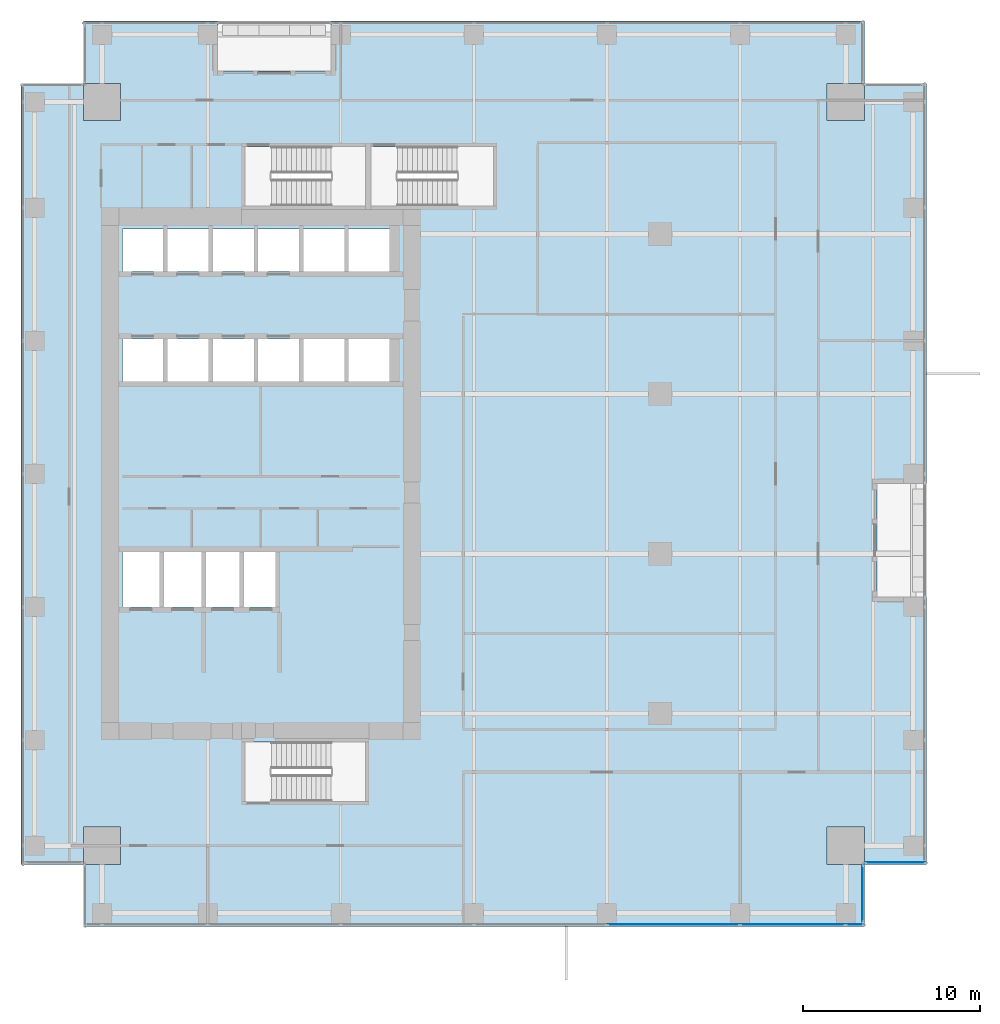
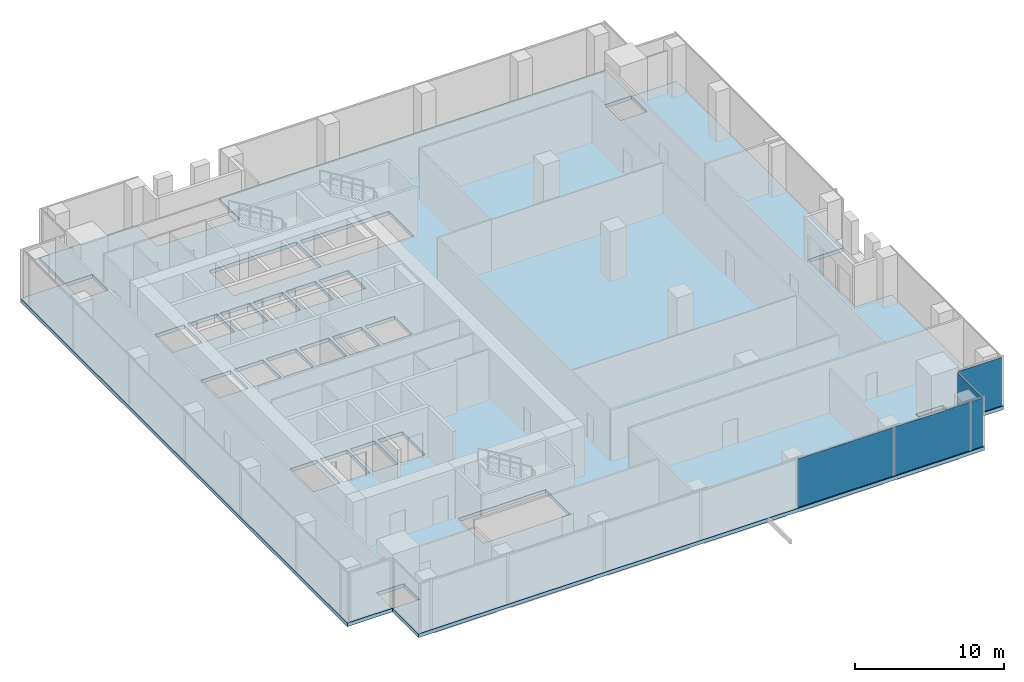
# One storey, part 24 of 34: 5 plates, 1 slab, 3 elements without a shape of their own.
"""IFC4 building model written with IfcOpenShell, lengths in metres."""

import ifcopenshell
import ifcopenshell.guid

model = None  # the IFC model being written
_history = None  # IfcOwnerHistory: only IFC2X3 demands one
_inside = {}  # id of a spatial element -> (the spatial element, [elements in it])
_under = {}  # id of a project, library or spatial element -> (it, [spatial elements below it])
_declared = {}  # id of a project -> (the project, [libraries it declares])
_typed = {}  # id of a type object -> (the type object, [elements of that type])
_made_of = {}  # id of a material, layer set ... -> (it, [elements and type objects made of it])


def new_model(schema):
    """Start an empty IFC model of exactly this schema.

    Asked for "IFC4X3", IfcOpenShell would pick the latest addendum, in which some entities
    have other attributes; the version numbers below select the first issue.
    IFC2X3 requires an IfcOwnerHistory on every rooted entity: one is made here for all.
    """
    global model, _history
    if schema == "IFC4X3":
        model = ifcopenshell.file(schema_version=(4, 3, 0, 0))
    else:
        model = ifcopenshell.file(schema=schema)
    _inside.clear()
    _under.clear()
    _declared.clear()
    _typed.clear()
    _made_of.clear()
    _history = None
    if model.schema == "IFC2X3":
        org = make("IfcOrganization", Name="unknown")
        user = make(
            "IfcPersonAndOrganization",
            ThePerson=make("IfcPerson", FamilyName="unknown"),
            TheOrganization=org,
        )
        app = make(
            "IfcApplication",
            ApplicationDeveloper=org,
            Version="unknown",
            ApplicationFullName="unknown",
            ApplicationIdentifier="unknown",
        )
        _history = make(
            "IfcOwnerHistory",
            OwningUser=user,
            OwningApplication=app,
            ChangeAction="ADDED",
            CreationDate=0,
        )
    return model


def make(cls, **values):
    """One entity of the class cls with the attributes given. An attribute that is None is left unset."""
    return model.create_entity(
        cls, **{name: value for name, value in values.items() if value is not None}
    )


def rooted(cls, **values):
    """An entity with a GlobalId (a new one), such as an element, a storey or a relation."""
    return make(cls, GlobalId=ifcopenshell.guid.new(), OwnerHistory=_history, **values)


def si_unit(unit_type, name, prefix=None):
    """IfcSIUnit, for example si_unit("LENGTHUNIT", "METRE", prefix="MILLI")."""
    return make("IfcSIUnit", UnitType=unit_type, Prefix=prefix, Name=name)


def assignment(units):
    """IfcUnitAssignment: the units of a project."""
    return None if units is None else make("IfcUnitAssignment", Units=units)


def point(xyz):
    """IfcCartesianPoint."""
    return None if xyz is None else make("IfcCartesianPoint", Coordinates=xyz)


def direction(xyz):
    """IfcDirection."""
    return None if xyz is None else make("IfcDirection", DirectionRatios=xyz)


def frame(location, z_axis=None, x_axis=None):
    """IfcAxis2Placement3D, a coordinate frame: its origin and axes. An axis left out is left unset."""
    return make(
        "IfcAxis2Placement3D",
        Location=point(location),
        Axis=direction(z_axis),
        RefDirection=direction(x_axis),
    )


def frame_2d(location, x_axis=None):
    """IfcAxis2Placement2D, a coordinate frame in the plane: its origin and x axis."""
    return make(
        "IfcAxis2Placement2D", Location=point(location), RefDirection=direction(x_axis)
    )


def origin():
    """The frame at (0, 0, 0) with its axes left unset."""
    return frame((0.0, 0.0, 0.0))


def origin_2d():
    """The frame at (0, 0) in the plane with its x axis left unset."""
    return frame_2d((0.0, 0.0))


def place(relative_to, where):
    """IfcLocalPlacement: puts the frame where relative to a parent placement (None: the world)."""
    return make(
        "IfcLocalPlacement", PlacementRelTo=relative_to, RelativePlacement=where
    )


def context(
    kind, dimensions, precision=None, world=None, true_north=None, identifier=None
):
    """IfcGeometricRepresentationContext, for example the 3D "Model" context."""
    return make(
        "IfcGeometricRepresentationContext",
        ContextIdentifier=identifier,
        ContextType=kind,
        CoordinateSpaceDimension=dimensions,
        Precision=precision,
        WorldCoordinateSystem=world,
        TrueNorth=true_north,
    )


def subcontext(parent, identifier, kind, view, scale=None):
    """IfcGeometricRepresentationSubContext, for example "Body" below "Model"."""
    return make(
        "IfcGeometricRepresentationSubContext",
        ContextIdentifier=identifier,
        ContextType=kind,
        ParentContext=parent,
        TargetScale=scale,
        TargetView=view,
    )


def project(units=None, contexts=None):
    """IfcProject with its units and contexts."""
    return rooted(
        "IfcProject",
        Name="project",
        RepresentationContexts=contexts,
        UnitsInContext=assignment(units),
    )


def spatial(cls, under=None, at=None, **own):
    """A site, building, storey or space (cls), placed at a placement, below another one or the project."""
    s = rooted(cls, ObjectPlacement=at, **own)
    if under is not None:
        _under.setdefault(under.id(), (under, []))[1].append(s)
    return s


def polyline(points):
    """IfcPolyline through the points."""
    return make("IfcPolyline", Points=[point(p) for p in points])


def profile(cls, at=None, kind="AREA", **sizes):
    """A parametric profile (cls). Its sizes go by their IFC names, for example OverallWidth=200.0."""
    return make(cls, ProfileType=kind, Position=at, **sizes)


def rectangle(**sizes):
    """IfcRectangleProfileDef."""
    return profile("IfcRectangleProfileDef", **sizes)


def outline(outer, holes=None, kind="AREA"):
    """IfcArbitraryClosedProfileDef: a profile drawn as a closed curve; with holes, ...WithVoids."""
    if holes is None:
        return make("IfcArbitraryClosedProfileDef", ProfileType=kind, OuterCurve=outer)
    return make(
        "IfcArbitraryProfileDefWithVoids",
        ProfileType=kind,
        OuterCurve=outer,
        InnerCurves=holes,
    )


def extrude(swept, where, along, depth):
    """IfcExtrudedAreaSolid: the profile swept, set in the frame where, extruded along a direction by depth."""
    return make(
        "IfcExtrudedAreaSolid",
        SweptArea=swept,
        Position=where,
        ExtrudedDirection=direction(along),
        Depth=depth,
    )


def shape(context_of_items, identifier, shape_type, items):
    """IfcShapeRepresentation: the items that make up one representation, for example the "Body"."""
    return make(
        "IfcShapeRepresentation",
        ContextOfItems=context_of_items,
        RepresentationIdentifier=identifier,
        RepresentationType=shape_type,
        Items=items,
    )


def source(mapping_origin, context_of_items, identifier, shape_type, items):
    """IfcRepresentationMap: a shape defined once, which mapped items show again and again."""
    return make(
        "IfcRepresentationMap",
        MappingOrigin=mapping_origin,
        MappedRepresentation=shape(context_of_items, identifier, shape_type, items),
    )


def transform(
    local_origin,
    x_axis=None,
    y_axis=None,
    z_axis=None,
    scale=None,
    scale2=None,
    scale3=None,
    uniform=True,
):
    """IfcCartesianTransformationOperator3D, or its non-uniform kind. x_axis, y_axis, z_axis: its Axis1, 2, 3."""
    if uniform:
        return make(
            "IfcCartesianTransformationOperator3D",
            Axis1=direction(x_axis),
            Axis2=direction(y_axis),
            LocalOrigin=point(local_origin),
            Scale=scale,
            Axis3=direction(z_axis),
        )
    return make(
        "IfcCartesianTransformationOperator3DnonUniform",
        Axis1=direction(x_axis),
        Axis2=direction(y_axis),
        LocalOrigin=point(local_origin),
        Scale=scale,
        Axis3=direction(z_axis),
        Scale2=scale2,
        Scale3=scale3,
    )


def mapped(mapping_source, mapping_target):
    """IfcMappedItem: shows the shape of a source again, moved by a transform."""
    return make(
        "IfcMappedItem", MappingSource=mapping_source, MappingTarget=mapping_target
    )


def material(Name=None, Category=None):
    """IfcMaterial."""
    return make("IfcMaterial", Name=Name, Category=Category)


def layer(
    of_material, thickness, ventilated=None, Name=None, Category=None, Priority=None
):
    """IfcMaterialLayer: one layer of a wall or slab, of a material (None: an air gap)."""
    return make(
        "IfcMaterialLayer",
        Material=of_material,
        LayerThickness=thickness,
        IsVentilated=ventilated,
        Name=Name,
        Category=Category,
        Priority=Priority,
    )


def layer_set(layers, Name=None):
    """IfcMaterialLayerSet."""
    return make("IfcMaterialLayerSet", MaterialLayers=layers, LayerSetName=Name)


def made_of(thing, what):
    """Note that an element or type object is made of a material, layer set ...; save() writes the relation."""
    if what is not None:
        _made_of.setdefault(what.id(), (what, []))[1].append(thing)
    return thing


def type_object(cls, material=None, **own):
    """A type object (cls), such as IfcWallType, which elements share."""
    return made_of(rooted(cls, **own), material)


def element(
    cls,
    number,
    at=None,
    inside=None,
    cuts=None,
    type_object=None,
    material=None,
    context=None,
    identifier="Body",
    shape_type=None,
    held_by="IfcProductDefinitionShape",
    body=None,
    shapes=None,
    **own,
):
    """One element of the class cls, such as IfcWall. Its Tag is "e" and its number.

    at: its placement. inside: the storey or other place that contains it. cuts: it is an
    opening in that element (IfcRelVoidsElement). A single representation is given by context,
    identifier, shape_type and body (its items); several are given by shapes. held_by: the class
    of the entity that holds the representations. save() writes the other relations.
    """
    e = rooted(cls, Tag="e%d" % number, ObjectPlacement=at, **own)
    if body is not None:
        shapes = [shape(context, identifier, shape_type, body)]
    if shapes is not None:
        e.Representation = make(held_by, Representations=shapes)
    if inside is not None:
        _inside.setdefault(inside.id(), (inside, []))[1].append(e)
    if cuts is not None:
        rooted(
            "IfcRelVoidsElement", RelatingBuildingElement=cuts, RelatedOpeningElement=e
        )
    if type_object is not None:
        _typed.setdefault(type_object.id(), (type_object, []))[1].append(e)
    return made_of(e, material)


def aggregate(whole, parts):
    """IfcRelAggregates: a whole, such as a stair, and the parts it consists of."""
    return rooted("IfcRelAggregates", RelatingObject=whole, RelatedObjects=parts)


def save(model, path):
    """Write the relations noted so far, then the file.

    IfcRelAggregates (storeys below a building ...), IfcRelContainedInSpatialStructure (elements
    in a storey), IfcRelDefinesByType, IfcRelAssociatesMaterial and IfcRelDeclares: one each for
    every whole, place, type object, material and project.
    """
    for whole, parts in _under.values():
        aggregate(whole, parts)
    for where, things in _inside.values():
        rooted(
            "IfcRelContainedInSpatialStructure",
            RelatedElements=things,
            RelatingStructure=where,
        )
    for kind, things in _typed.values():
        rooted("IfcRelDefinesByType", RelatedObjects=things, RelatingType=kind)
    for what, things in _made_of.values():
        rooted("IfcRelAssociatesMaterial", RelatedObjects=things, RelatingMaterial=what)
    for by, libraries in _declared.values():
        rooted("IfcRelDeclares", RelatingContext=by, RelatedDefinitions=libraries)
    model.write(path)


model = new_model("IFC4")

# Units and contexts
model_context = context("Model", 3, precision=1e-05, world=origin(), true_north=direction((0.0, 1.0)))
body_context = subcontext(model_context, "Body", "Model", "MODEL_VIEW")
ifc_project = project(units=[si_unit("LENGTHUNIT", "METRE"), si_unit("AREAUNIT", "SQUARE_METRE"), si_unit("VOLUMEUNIT", "CUBIC_METRE"), si_unit("PLANEANGLEUNIT", "RADIAN"), si_unit("MASSUNIT", "GRAM", prefix="KILO")], contexts=[model_context])

# Site, building, storey
site_placement = place(None, origin())
site = spatial("IfcSite", under=ifc_project, at=site_placement, CompositionType="ELEMENT")
building_placement = place(site_placement, origin())
building = spatial("IfcBuilding", under=site, at=building_placement, Name="Khomas Fold Tower", CompositionType="ELEMENT")
storey_placement = place(building_placement, frame((0.0, 0.0, 145.5)))
storey = spatial("IfcBuildingStorey", under=building, at=storey_placement, Name="L31", CompositionType="ELEMENT", Elevation=145.5)

# Slab
ifc_material_1 = material(Name="Concrete C40/50", Category="concrete")
ifc_layer_1 = layer(ifc_material_1, 0.300048828125)
ifc_layer_set_1 = layer_set([ifc_layer_1], Name="Concrete C40/50")
slab_type = type_object("IfcSlabType", Name="RC floor slab 300", PredefinedType="FLOOR", material=ifc_layer_set_1)
shared_shape_1 = source(origin(), body_context, "Body", "SweptSolid", [
    extrude(outline(polyline([(1.5, 5.0), (4.9951171875, 5.0), (4.9951171875, 7.10498046875), (7.10498046875, 7.10498046875), (7.10498046875, 4.9951171875), (5.0, 4.9951171875), (5.0, 1.5), (49.0, 1.5), (49.0, 4.9951171875), (46.89501953125, 4.9951171875), (46.89501953125, 7.10498046875), (49.0048828125, 7.10498046875), (49.0048828125, 5.0), (52.5, 5.0), (52.5, 20.050048828125), (49.699951171875, 20.050048828125), (49.699951171875, 26.449951171875), (52.5, 26.449951171875), (52.5, 49.0), (49.0048828125, 49.0), (49.0048828125, 46.89501953125), (46.89501953125, 46.89501953125), (46.89501953125, 49.0048828125), (49.0, 49.0048828125), (49.0, 52.5), (18.949951171875, 52.5), (18.949951171875, 49.699951171875), (12.550048828125, 49.699951171875), (12.550048828125, 52.5), (5.0, 52.5), (5.0, 49.0048828125), (7.10498046875, 49.0048828125), (7.10498046875, 46.89501953125), (4.9951171875, 46.89501953125), (4.9951171875, 49.0), (1.5, 49.0), (1.5, 5.0)]), holes=[polyline([(7.199951171875, 19.5), (7.199951171875, 22.60009765625), (9.300048828125, 22.60009765625), (9.300048828125, 19.5), (7.199951171875, 19.5)]), polyline([(7.199951171875, 32.199951171875), (7.199951171875, 34.60009765625), (9.5, 34.60009765625), (9.5, 32.199951171875), (7.199951171875, 32.199951171875)]), polyline([(7.199951171875, 38.39990234375), (7.199951171875, 40.800048828125), (9.5, 40.800048828125), (9.5, 38.39990234375), (7.199951171875, 38.39990234375)]), polyline([(9.550048828125, 19.5), (9.550048828125, 22.60009765625), (11.64990234375, 22.60009765625), (11.64990234375, 19.5), (9.550048828125, 19.5)]), polyline([(9.75, 32.199951171875), (9.75, 34.60009765625), (12.050048828125, 34.60009765625), (12.050048828125, 32.199951171875), (9.75, 32.199951171875)]), polyline([(9.75, 38.39990234375), (9.75, 40.800048828125), (12.050048828125, 40.800048828125), (12.050048828125, 38.39990234375), (9.75, 38.39990234375)]), polyline([(11.89990234375, 19.5), (11.89990234375, 22.60009765625), (13.800048828125, 22.60009765625), (13.800048828125, 19.5), (11.89990234375, 19.5)]), polyline([(12.300048828125, 32.199951171875), (12.300048828125, 34.60009765625), (14.60009765625, 34.60009765625), (14.60009765625, 32.199951171875), (12.300048828125, 32.199951171875)]), polyline([(12.300048828125, 38.39990234375), (12.300048828125, 40.800048828125), (14.60009765625, 40.800048828125), (14.60009765625, 38.39990234375), (12.300048828125, 38.39990234375)]), polyline([(14.050048828125, 19.5), (14.050048828125, 22.60009765625), (15.949951171875, 22.60009765625), (15.949951171875, 19.5), (14.050048828125, 19.5)]), polyline([(14.10009765625, 8.550048828125), (14.10009765625, 11.89990234375), (20.89990234375, 11.89990234375), (20.89990234375, 8.550048828125), (14.10009765625, 8.550048828125)]), polyline([(14.10009765625, 42.10009765625), (14.10009765625, 45.449951171875), (20.89990234375, 45.449951171875), (20.89990234375, 42.10009765625), (14.10009765625, 42.10009765625)]), polyline([(14.85009765625, 32.199951171875), (14.85009765625, 34.60009765625), (17.14990234375, 34.60009765625), (17.14990234375, 32.199951171875), (14.85009765625, 32.199951171875)]), polyline([(14.85009765625, 38.39990234375), (14.85009765625, 40.800048828125), (17.14990234375, 40.800048828125), (17.14990234375, 38.39990234375), (14.85009765625, 38.39990234375)]), polyline([(17.39990234375, 32.199951171875), (17.39990234375, 34.60009765625), (19.699951171875, 34.60009765625), (19.699951171875, 32.199951171875), (17.39990234375, 32.199951171875)]), polyline([(17.39990234375, 38.39990234375), (17.39990234375, 40.800048828125), (19.699951171875, 40.800048828125), (19.699951171875, 38.39990234375), (17.39990234375, 38.39990234375)]), polyline([(19.949951171875, 32.199951171875), (19.949951171875, 34.60009765625), (22.25, 34.60009765625), (22.25, 32.199951171875), (19.949951171875, 32.199951171875)]), polyline([(19.949951171875, 38.39990234375), (19.949951171875, 40.800048828125), (22.25, 40.800048828125), (22.25, 38.39990234375), (19.949951171875, 38.39990234375)]), polyline([(21.199951171875, 42.10009765625), (21.199951171875, 45.449951171875), (28.10009765625, 45.449951171875), (28.10009765625, 42.10009765625), (21.199951171875, 42.10009765625)])]), origin(), (0.0, 0.0, 1.0), 0.300048828125),
])
slab_placement = place(storey_placement, frame((0.0, 0.0, -0.300048828125)))
element("IfcSlab", 1, at=slab_placement, inside=storey, type_object=slab_type, Name="S-L31", PredefinedType="FLOOR", context=body_context, shape_type="MappedRepresentation", body=[
    mapped(shared_shape_1, transform((0.0, 0.0, 0.0))),
])

# Curtain wall, plates
ifc_material_2 = material(Name="Aluminium framed double glazing", Category="aluminium")
curtain_wall_type = type_object("IfcCurtainWallType", Name="SK-Unitised clear-glass wall, growing floors CW1", PredefinedType="NOTDEFINED", material=ifc_material_2)
curtain_wall_1_placement = place(storey_placement, origin())
curtain_wall_1 = element("IfcCurtainWall", 2, at=curtain_wall_1_placement, inside=storey, type_object=curtain_wall_type, Name="CW1 run L31 00-0", PredefinedType="NOTDEFINED")
ifc_material_3 = material(Name="Clear double glazed unit")
ifc_layer_2 = layer(ifc_material_3, 0.031982421875)
ifc_layer_set_2 = layer_set([ifc_layer_2], Name="Clear double glazed unit")
plate_type = type_object("IfcPlateType", Name="SK-Unitised clear-glass wall, growing floors glass panel CW1-P", PredefinedType="CURTAIN_PANEL", material=ifc_layer_set_2)
shared_shape_2 = source(origin(), body_context, "Body", "SweptSolid", [
    extrude(rectangle(XDim=5.889892578125, YDim=0.031982421875, at=origin_2d()), origin(), (0.0, 0.0, 1.0), 3.97998046875),
])
plate_1_placement = place(storey_placement, frame((44.97509765625, 1.60009765625, 0.0), z_axis=(0.0, 0.0, 1.0), x_axis=(1.0, 0.0, 0.0)))
plate_1 = element("IfcPlate", 3, at=plate_1_placement, type_object=plate_type, Name="CW1 glass panel 7", PredefinedType="CURTAIN_PANEL", context=body_context, shape_type="MappedRepresentation", body=[
    mapped(shared_shape_2, transform((0.0, 0.0, 0.0))),
])
shared_shape_3 = source(origin(), body_context, "Body", "SweptSolid", [
    extrude(rectangle(XDim=7.43994140625, YDim=0.031982421875, at=origin_2d()), origin(), (0.0, 0.0, 1.0), 3.97998046875),
])
plate_2_placement = place(storey_placement, frame((38.25, 1.60009765625, 0.0), z_axis=(0.0, 0.0, 1.0), x_axis=(1.0, 0.0, 0.0)))
plate_2 = element("IfcPlate", 4, at=plate_2_placement, type_object=plate_type, Name="CW1 glass panel 6", PredefinedType="CURTAIN_PANEL", context=body_context, shape_type="MappedRepresentation", body=[
    mapped(shared_shape_3, transform((0.0, 0.0, 0.0))),
])
shared_shape_4 = source(origin(), body_context, "Body", "SweptSolid", [
    extrude(rectangle(XDim=0.9599609375, YDim=0.031982421875, at=origin_2d()), origin(), (0.0, 0.0, 1.0), 3.97998046875),
])
plate_3_placement = place(storey_placement, frame((48.4599609375, 1.60009765625, 0.0), z_axis=(0.0, 0.0, 1.0), x_axis=(1.0, 0.0, 0.0)))
plate_3 = element("IfcPlate", 5, at=plate_3_placement, type_object=plate_type, Name="CW1 glass panel 8", PredefinedType="CURTAIN_PANEL", context=body_context, shape_type="MappedRepresentation", body=[
    mapped(shared_shape_4, transform((0.0, 0.0, 0.0))),
])
aggregate(curtain_wall_1, [plate_2, plate_1, plate_3])

# Curtain wall, plate
curtain_wall_2_placement = place(storey_placement, origin())
curtain_wall_2 = element("IfcCurtainWall", 6, at=curtain_wall_2_placement, inside=storey, type_object=curtain_wall_type, Name="CW1 corner return L31 01", PredefinedType="NOTDEFINED")
shared_shape_5 = source(origin(), body_context, "Body", "SweptSolid", [
    extrude(rectangle(XDim=3.179931640625, YDim=0.031982421875, at=origin_2d()), origin(), (0.0, 0.0, 1.0), 3.97998046875),
])
plate_4_placement = place(storey_placement, frame((48.89990234375, 3.35009765625, 0.0), z_axis=(0.0, 0.0, 1.0), x_axis=(0.0, 1.0, 0.0)))
plate_4 = element("IfcPlate", 7, at=plate_4_placement, type_object=plate_type, Name="CW1 glass panel 1", PredefinedType="CURTAIN_PANEL", context=body_context, shape_type="MappedRepresentation", body=[
    mapped(shared_shape_5, transform((0.0, 0.0, 0.0))),
])
aggregate(curtain_wall_2, [plate_4])

curtain_wall_3_placement = place(storey_placement, origin())
curtain_wall_3 = element("IfcCurtainWall", 8, at=curtain_wall_3_placement, inside=storey, type_object=curtain_wall_type, Name="CW1 corner return L31 02", PredefinedType="NOTDEFINED")
shared_shape_6 = source(origin(), body_context, "Body", "SweptSolid", [
    extrude(rectangle(XDim=3.3798828125, YDim=0.031982421875, at=origin_2d()), origin(), (0.0, 0.0, 1.0), 3.97998046875),
])
plate_5_placement = place(storey_placement, frame((50.75, 5.10009765625, 0.0), z_axis=(0.0, 0.0, 1.0), x_axis=(1.0, 0.0, 0.0)))
plate_5 = element("IfcPlate", 9, at=plate_5_placement, type_object=plate_type, Name="CW1 glass panel 1", PredefinedType="CURTAIN_PANEL", context=body_context, shape_type="MappedRepresentation", body=[
    mapped(shared_shape_6, transform((0.0, 0.0, 0.0))),
])
aggregate(curtain_wall_3, [plate_5])

save(model, "model.ifc")
